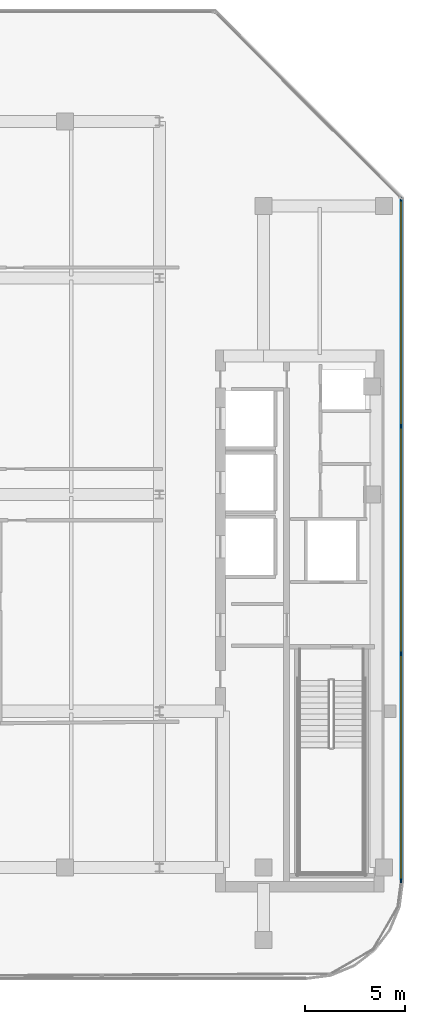
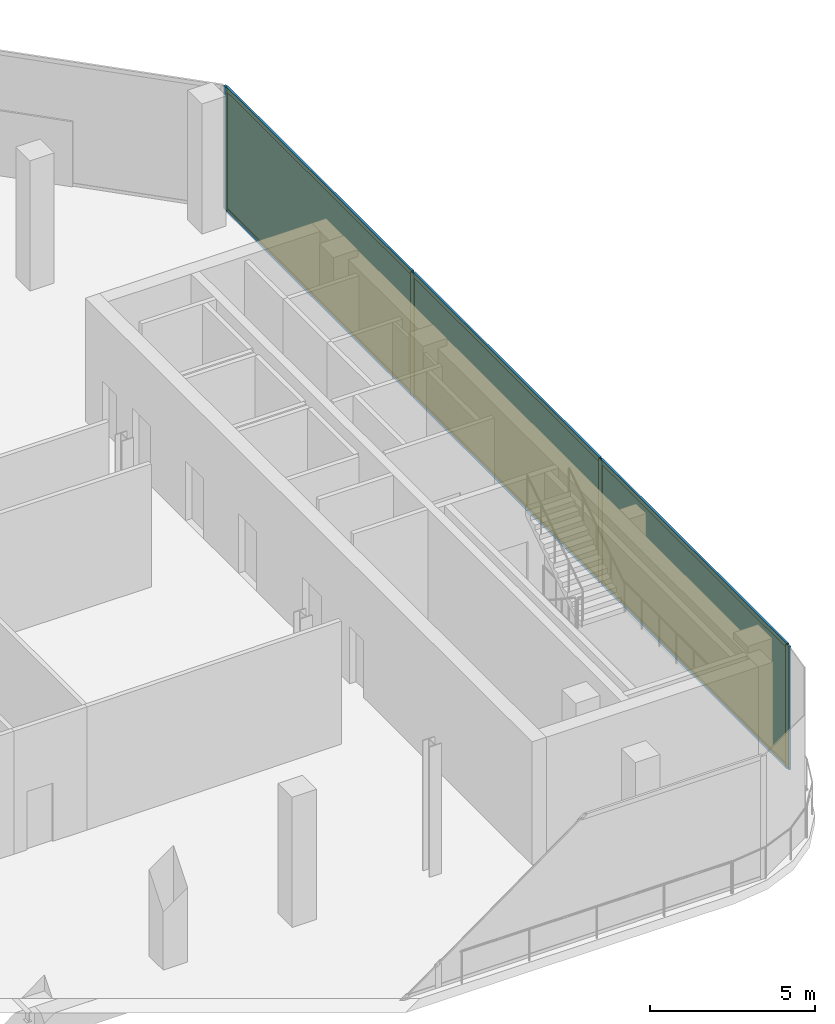
# One storey, part 7 of 13: 10 members, 3 plates, 1 curtain wall.
"""IFC4 building model written with IfcOpenShell, lengths in metres."""

from ifc_helpers import new_model, si_unit, direction, frame, frame_2d, origin, origin_2d, place, context, subcontext, project, spatial, rectangle, extrude, material, layer, layer_set, material_profile, profile_set, type_object, element, aggregate, save


model = new_model("IFC4")

# Units and contexts
model_context = context("Model", 3, precision=1e-05, world=origin(), true_north=direction((0.0, 1.0)))
body_context = subcontext(model_context, "Body", "Model", "MODEL_VIEW")
ifc_project = project(units=[si_unit("LENGTHUNIT", "METRE"), si_unit("AREAUNIT", "SQUARE_METRE"), si_unit("VOLUMEUNIT", "CUBIC_METRE"), si_unit("PLANEANGLEUNIT", "RADIAN"), si_unit("MASSUNIT", "GRAM", prefix="KILO")], contexts=[model_context])

# Member
ifc_material_1 = material(Name="Anodised Bronze Aluminium 6063-T6", Category="aluminium")
ifc_material_profile_1 = material_profile(ifc_material_1, rectangle(XDim=0.074951171875, YDim=0.2099609375, at=origin_2d()))
ifc_profile_set_1 = profile_set([ifc_material_profile_1], Name="Anodised Bronze Aluminium 6063-T6")
member_type_1 = type_object("IfcMemberType", Name="CW-CRN Mullion 75x210", PredefinedType="MULLION", material=ifc_profile_set_1)
site_placement = place(None, origin())
building_placement = place(site_placement, origin())
storey_placement = place(building_placement, frame((0.0, 0.0, 272.800048828125)))
member_1_placement = place(storey_placement, frame((21.260009765625, 14.724609375, 0.0), z_axis=(0.0, 0.0, 1.0), x_axis=(1.0, 0.0, 0.0)))
member_1 = element("IfcMember", 1, at=member_1_placement, type_object=member_type_1, Name="CW-CRN mullion 1", PredefinedType="MULLION", context=body_context, shape_type="SweptSolid", body=[
    extrude(rectangle(XDim=0.074951171875, YDim=0.2099609375, at=origin_2d()), origin(), (0.0, 0.0, 1.0), 4.5400390625),
])

member_2_placement = place(storey_placement, frame((21.260009765625, 3.4111328125, 0.0), z_axis=(0.0, 0.0, 1.0), x_axis=(1.0, 0.0, 0.0)))
member_2 = element("IfcMember", 2, at=member_2_placement, type_object=member_type_1, Name="CW-CRN mullion 2", PredefinedType="MULLION", context=body_context, shape_type="SweptSolid", body=[
    extrude(rectangle(XDim=0.074951171875, YDim=0.2099609375, at=origin_2d()), origin(), (0.0, 0.0, 1.0), 4.5400390625),
])

member_3_placement = place(storey_placement, frame((21.260009765625, -7.93994140625, 0.0), z_axis=(0.0, 0.0, 1.0), x_axis=(1.0, 0.0, 0.0)))
member_3 = element("IfcMember", 3, at=member_3_placement, type_object=member_type_1, Name="CW-CRN mullion 3", PredefinedType="MULLION", context=body_context, shape_type="SweptSolid", body=[
    extrude(rectangle(XDim=0.074951171875, YDim=0.2099609375, at=origin_2d()), origin(), (0.0, 0.0, 1.0), 4.5400390625),
])

member_4_placement = place(storey_placement, frame((21.260009765625, -19.25341796875, 0.0), z_axis=(0.0, 0.0, 1.0), x_axis=(1.0, 0.0, 0.0)))
member_4 = element("IfcMember", 4, at=member_4_placement, type_object=member_type_1, Name="CW-CRN mullion 4", PredefinedType="MULLION", context=body_context, shape_type="SweptSolid", body=[
    extrude(rectangle(XDim=0.074951171875, YDim=0.2099609375, at=origin_2d()), origin(), (0.0, 0.0, 1.0), 4.5400390625),
])

ifc_material_2 = material(Name="Anodised Bronze Aluminium 6063-T6", Category="aluminium")
ifc_material_profile_2 = material_profile(ifc_material_2, rectangle(XDim=0.074951171875, YDim=0.1650390625, at=origin_2d()))
ifc_profile_set_2 = profile_set([ifc_material_profile_2], Name="Anodised Bronze Aluminium 6063-T6")
member_type_2 = type_object("IfcMemberType", Name="CW-CRN Transom 75x165", PredefinedType="USERDEFINED", material=ifc_profile_set_2)
member_5_placement = place(storey_placement, frame((21.260009765625, 14.68701171875, 0.037353515625), z_axis=(0.0, -1.0, 0.0), x_axis=(1.0, 0.0, 0.0)))
member_5 = element("IfcMember", 5, at=member_5_placement, type_object=member_type_2, Name="CW-CRN transom 1.1", ObjectType="TRANSOM", PredefinedType="USERDEFINED", context=body_context, shape_type="SweptSolid", body=[
    extrude(rectangle(XDim=0.074951171875, YDim=0.1650390625, at=origin_2d()), origin(), (0.0, 0.0, 1.0), 11.238525390625),
])

member_6_placement = place(storey_placement, frame((21.260009765625, 14.68701171875, 4.50244140625), z_axis=(0.0, -1.0, 0.0), x_axis=(1.0, 0.0, 0.0)))
member_6 = element("IfcMember", 6, at=member_6_placement, type_object=member_type_2, Name="CW-CRN transom 1.2", ObjectType="TRANSOM", PredefinedType="USERDEFINED", context=body_context, shape_type="SweptSolid", body=[
    extrude(rectangle(XDim=0.074951171875, YDim=0.1650390625, at=origin_2d()), origin(), (0.0, 0.0, 1.0), 11.238525390625),
])

member_7_placement = place(storey_placement, frame((21.260009765625, 3.37353515625, 0.037353515625), z_axis=(0.0, -1.0, 0.0), x_axis=(1.0, 0.0, 0.0)))
member_7 = element("IfcMember", 7, at=member_7_placement, type_object=member_type_2, Name="CW-CRN transom 2.1", ObjectType="TRANSOM", PredefinedType="USERDEFINED", context=body_context, shape_type="SweptSolid", body=[
    extrude(rectangle(XDim=0.074951171875, YDim=0.1650390625, at=origin_2d()), origin(), (0.0, 0.0, 1.0), 11.27587890625),
])

member_8_placement = place(storey_placement, frame((21.260009765625, 3.37353515625, 4.50244140625), z_axis=(0.0, -1.0, 0.0), x_axis=(1.0, 0.0, 0.0)))
member_8 = element("IfcMember", 8, at=member_8_placement, type_object=member_type_2, Name="CW-CRN transom 2.2", ObjectType="TRANSOM", PredefinedType="USERDEFINED", context=body_context, shape_type="SweptSolid", body=[
    extrude(rectangle(XDim=0.074951171875, YDim=0.1650390625, at=origin_2d()), origin(), (0.0, 0.0, 1.0), 11.27587890625),
])

member_9_placement = place(storey_placement, frame((21.260009765625, -7.977294921875, 0.037353515625), z_axis=(0.0, -1.0, 0.0), x_axis=(1.0, 0.0, 0.0)))
member_9 = element("IfcMember", 9, at=member_9_placement, type_object=member_type_2, Name="CW-CRN transom 3.1", ObjectType="TRANSOM", PredefinedType="USERDEFINED", context=body_context, shape_type="SweptSolid", body=[
    extrude(rectangle(XDim=0.074951171875, YDim=0.1650390625, at=origin_2d()), origin(), (0.0, 0.0, 1.0), 11.238525390625),
])

member_10_placement = place(storey_placement, frame((21.260009765625, -7.977294921875, 4.50244140625), z_axis=(0.0, -1.0, 0.0), x_axis=(1.0, 0.0, 0.0)))
member_10 = element("IfcMember", 10, at=member_10_placement, type_object=member_type_2, Name="CW-CRN transom 3.2", ObjectType="TRANSOM", PredefinedType="USERDEFINED", context=body_context, shape_type="SweptSolid", body=[
    extrude(rectangle(XDim=0.074951171875, YDim=0.1650390625, at=origin_2d()), origin(), (0.0, 0.0, 1.0), 11.238525390625),
])

# Plate
ifc_material_3 = material(Name="Low-E Solar Control Laminated Glass", Category="glass")
ifc_layer_1 = layer(ifc_material_3, 0.035888671875, Name="Low-E Solar Control Laminated Glass")
ifc_layer_set_1 = layer_set([ifc_layer_1], Name="Low-E Solar Control Laminated Glass")
plate_type = type_object("IfcPlateType", Name="CW-CRN Low-E Double Glazed Panel 36mm", PredefinedType="CURTAIN_PANEL", material=ifc_layer_set_1)
plate_1_placement = place(storey_placement, frame((21.260009765625, 9.06787109375, 0.0751953125), z_axis=(0.0, 0.0, 1.0), x_axis=(0.0, -1.0, 0.0)))
plate_1 = element("IfcPlate", 11, at=plate_1_placement, type_object=plate_type, Name="CW-CRN panel 1.1", PredefinedType="CURTAIN_PANEL", context=body_context, shape_type="SweptSolid", body=[
    extrude(rectangle(XDim=11.238525390625, YDim=0.035888671875, at=origin_2d()), origin(), (0.0, 0.0, 1.0), 4.389892578125),
])

plate_2_placement = place(storey_placement, frame((21.260009765625, -2.264404296875, 0.0751953125), z_axis=(0.0, 0.0, 1.0), x_axis=(0.0, -1.0, 0.0)))
plate_2 = element("IfcPlate", 12, at=plate_2_placement, type_object=plate_type, Name="CW-CRN panel 2.1", PredefinedType="CURTAIN_PANEL", context=body_context, shape_type="SweptSolid", body=[
    extrude(rectangle(XDim=11.27587890625, YDim=0.035888671875, at=origin_2d()), origin(), (0.0, 0.0, 1.0), 4.389892578125),
])

plate_3_placement = place(storey_placement, frame((21.260009765625, -13.5966796875, 0.0751953125), z_axis=(0.0, 0.0, 1.0), x_axis=(0.0, -1.0, 0.0)))
plate_3 = element("IfcPlate", 13, at=plate_3_placement, type_object=plate_type, Name="CW-CRN panel 3.1", PredefinedType="CURTAIN_PANEL", context=body_context, shape_type="SweptSolid", body=[
    extrude(rectangle(XDim=11.238525390625, YDim=0.035888671875, at=origin_2d()), origin(), (0.0, 0.0, 1.0), 4.389892578125),
])

# Site, building, storey
site = spatial("IfcSite", under=ifc_project, at=site_placement, CompositionType="ELEMENT")
building = spatial("IfcBuilding", under=site, at=building_placement, Name="Khairoan Windgate Tower", CompositionType="ELEMENT")
storey = spatial("IfcBuildingStorey", under=building, at=storey_placement, Name="L65", CompositionType="ELEMENT", Elevation=272.800048828125)

# Curtain wall
ifc_material_4 = material(Name="Anodised Bronze Aluminium 6063-T6", Category="aluminium")
ifc_layer_2 = layer(ifc_material_4, 0.2099609375, Name="Anodised Bronze Aluminium 6063-T6")
ifc_layer_set_2 = layer_set([ifc_layer_2], Name="Anodised Bronze Aluminium 6063-T6")
curtain_wall_type = type_object("IfcCurtainWallType", Name="Crown Observation and Vitrine Curtain Wall CW-CRN", PredefinedType="NOTDEFINED", material=ifc_layer_set_2)
curtain_wall_placement = place(storey_placement, frame((21.260009765625, 14.761962890625, 0.0), z_axis=(0.0, 0.0, 1.0), x_axis=(0.0, -1.0, 0.0)))
curtain_wall = element("IfcCurtainWall", 14, at=curtain_wall_placement, inside=storey, type_object=curtain_wall_type, Name="L65 Unitised Curtain Wall 10", PredefinedType="NOTDEFINED", context=body_context, shape_type="SweptSolid", body=[
    extrude(rectangle(XDim=34.052734375, YDim=0.010009765625, at=frame_2d((17.0263671875, 0.0))), origin(), (0.0, 0.0, 1.0), 4.5400390625),
])

aggregate(curtain_wall, [member_1, member_2, member_3, member_4, member_5, member_6, plate_1, member_7, member_8, plate_2, member_9, member_10, plate_3])

save(model, "model.ifc")
